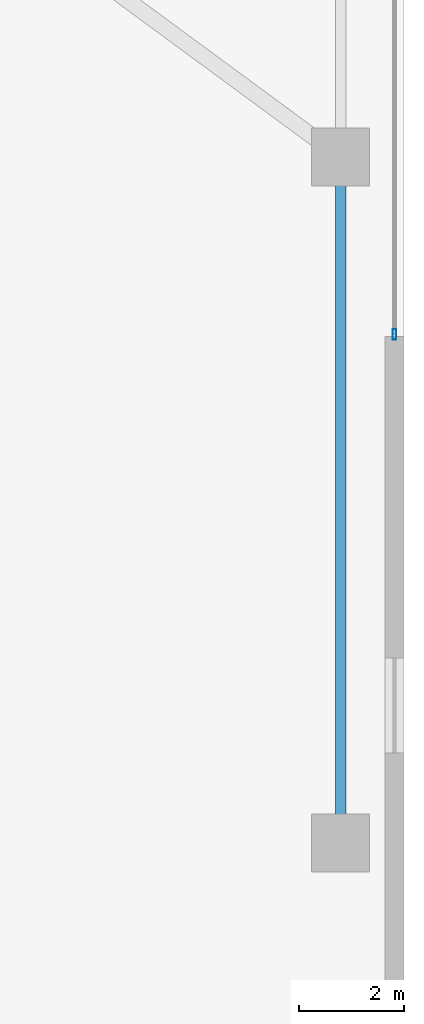
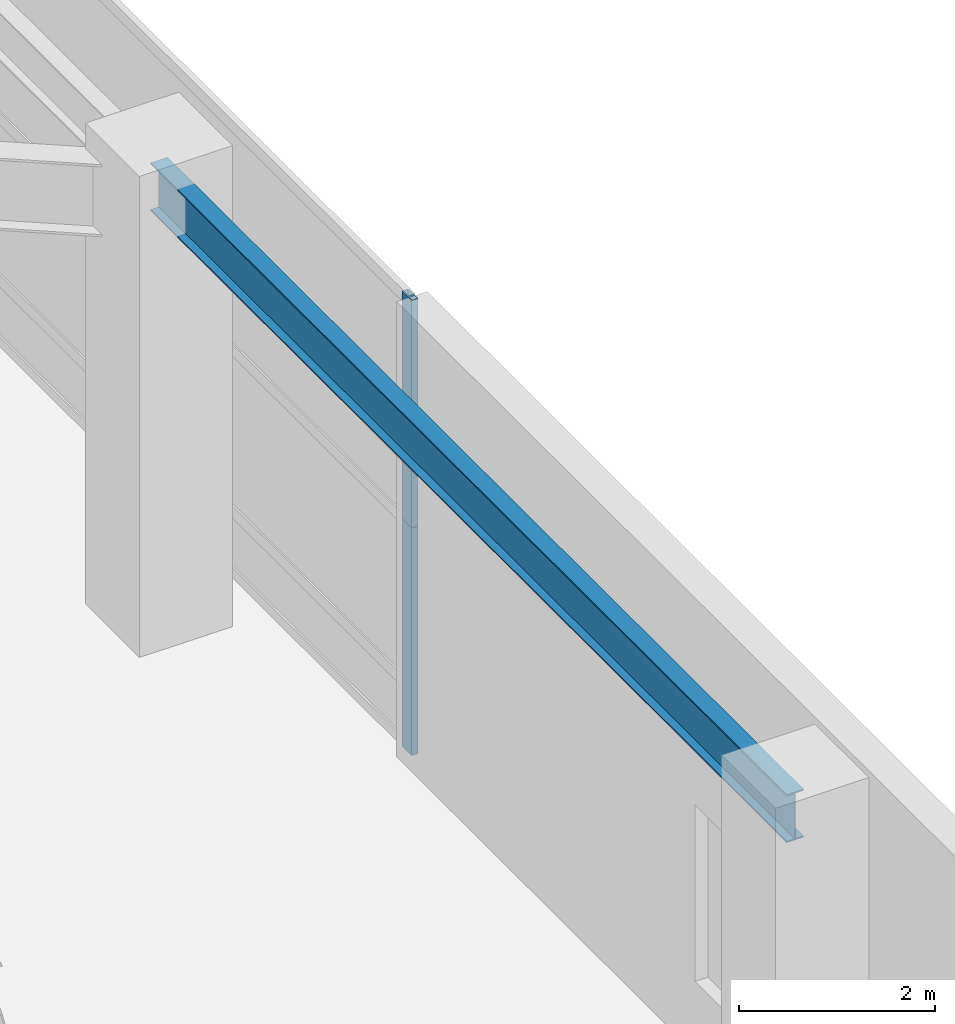
# One storey, part 28 of 39: 2 members, 1 beam, 1 element without a shape of its own.
"""IFC4 building model written with IfcOpenShell, lengths in metres."""

from ifc_helpers import new_model, si_unit, direction, frame, origin, origin_2d, place, context, subcontext, project, spatial, hollow_rectangle, i_section, extrude, source, transform, mapped, material, layer, layer_set, material_profile, profile_set, type_object, element, aggregate, save


model = new_model("IFC4")

# Units and contexts
model_context = context("Model", 3, precision=1e-05, world=origin(), true_north=direction((0.0, 1.0)))
body_context = subcontext(model_context, "Body", "Model", "MODEL_VIEW")
ifc_project = project(units=[si_unit("LENGTHUNIT", "METRE"), si_unit("AREAUNIT", "SQUARE_METRE"), si_unit("VOLUMEUNIT", "CUBIC_METRE"), si_unit("PLANEANGLEUNIT", "RADIAN"), si_unit("MASSUNIT", "GRAM", prefix="KILO"), si_unit("THERMODYNAMICTEMPERATUREUNIT", "KELVIN"), si_unit("POWERUNIT", "WATT")], contexts=[model_context])

# Site, building, storey
site_placement = place(None, origin())
site = spatial("IfcSite", under=ifc_project, at=site_placement, CompositionType="ELEMENT")
building_placement = place(site_placement, origin())
building = spatial("IfcBuilding", under=site, at=building_placement, Name="Yuzanri Waterfront Tower", CompositionType="ELEMENT")
storey_placement = place(building_placement, frame((0.0, 0.0, 19.800048828125)))
storey = spatial("IfcBuildingStorey", under=building, at=storey_placement, Name="L05", CompositionType="ELEMENT", Elevation=19.800048828125)

# Beam
ifc_material_1 = material(Name="Steel Q355B", Category="steel")
ifc_material_profile_1 = material_profile(ifc_material_1, i_section(OverallWidth=0.199951171875, OverallDepth=0.60009765625, WebThickness=0.010986328125, FlangeThickness=0.01708984375, at=origin_2d()), Name="HN 600x200x11x17")
ifc_profile_set_1 = profile_set([ifc_material_profile_1], Name="Steel Q355B")
beam_type = type_object("IfcBeamType", Name="Perimeter Spandrel Q355B HN 600x200", PredefinedType="SPANDREL", material=ifc_profile_set_1)
shared_shape_1 = source(origin(), body_context, "Body", "SweptSolid", [
    extrude(i_section(OverallWidth=0.199951171875, OverallDepth=0.60009765625, WebThickness=0.010986328125, FlangeThickness=0.01708984375, at=origin_2d()), origin(), (0.0, 0.0, 1.0), 13.0),
])
beam_placement = place(storey_placement, frame((70.800048828125, 6.39990234375, 5.3798828125), z_axis=(0.0, 1.0, 0.0), x_axis=(-1.0, 0.0, 0.0)))
element("IfcBeam", 1, at=beam_placement, inside=storey, type_object=beam_type, Name="L05 East Podium Spandrel 1", PredefinedType="SPANDREL", context=body_context, shape_type="MappedRepresentation", body=[
    mapped(shared_shape_1, transform((0.0, 0.0, 0.0), scale=1.0)),
])

# Curtain wall, members
ifc_material_2 = material(Name="Anodized Architectural Bronze", Category="metal")
ifc_layer = layer(ifc_material_2, 0.159912109375)
ifc_layer_set = layer_set([ifc_layer], Name="Anodized Architectural Bronze")
curtain_wall_type = type_object("IfcCurtainWallType", Name="Anodized Bronze Podium Waterfront Double-Height Unitized Curtain Wall 8400", PredefinedType="NOTDEFINED", material=ifc_layer_set)
curtain_wall_placement = place(storey_placement, origin())
curtain_wall = element("IfcCurtainWall", 2, at=curtain_wall_placement, inside=storey, type_object=curtain_wall_type, Name="L05 Curtain Wall CW-L05-E", PredefinedType="NOTDEFINED")
ifc_material_3 = material(Name="Anodized Architectural Bronze", Category="metal")
ifc_material_profile_2 = material_profile(ifc_material_3, hollow_rectangle(XDim=0.074951171875, YDim=0.199951171875, WallThickness=0.00390625, at=origin_2d()), Name="CWM 75x200")
ifc_profile_set_2 = profile_set([ifc_material_profile_2], Name="Anodized Architectural Bronze")
member_type = type_object("IfcMemberType", Name="Anodized Bronze Primary Curtain-Wall Mullion 75x200", PredefinedType="MULLION", material=ifc_profile_set_2)
shared_shape_2 = source(origin(), body_context, "Body", "SweptSolid", [
    extrude(hollow_rectangle(XDim=0.074951171875, YDim=0.199951171875, WallThickness=0.00390625, at=origin_2d()), origin(), (0.0, 0.0, 1.0), 2.837890625),
])
member_1_placement = place(storey_placement, frame((71.820068359375, 16.0400390625, 0.0), z_axis=(0.0, 0.0, 1.0), x_axis=(1.0, 0.0, 0.0)))
member_1 = element("IfcMember", 3, at=member_1_placement, type_object=member_type, Name="CW-L05-E Lower Mullion 00", PredefinedType="MULLION", context=body_context, shape_type="MappedRepresentation", body=[
    mapped(shared_shape_2, transform((0.0, 0.0, 0.0), scale=1.0)),
])
member_2_placement = place(storey_placement, frame((71.820068359375, 16.0400390625, 2.842041015625), z_axis=(0.0, 0.0, 1.0), x_axis=(1.0, 0.0, 0.0)))
member_2 = element("IfcMember", 4, at=member_2_placement, type_object=member_type, Name="CW-L05-E Upper Mullion 00", PredefinedType="MULLION", context=body_context, shape_type="MappedRepresentation", body=[
    mapped(shared_shape_2, transform((0.0, 0.0, 0.0), scale=1.0)),
])
aggregate(curtain_wall, [member_1, member_2])

save(model, "model.ifc")
